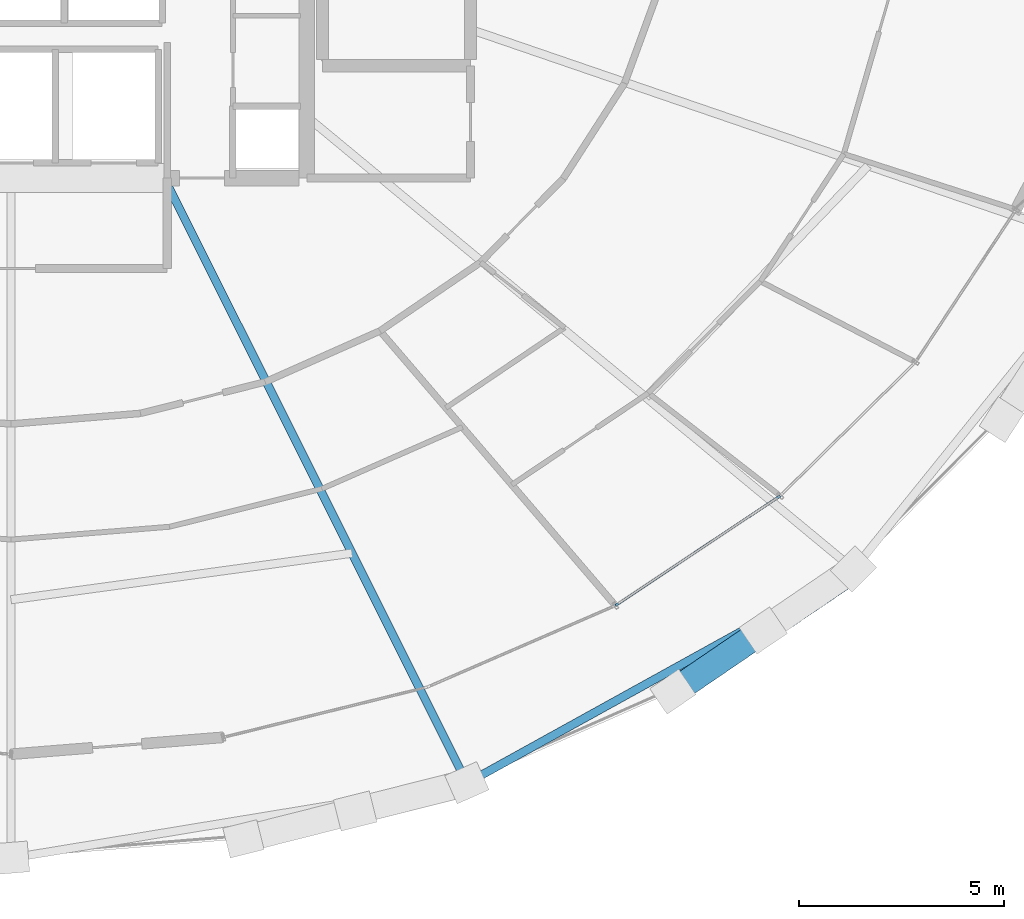
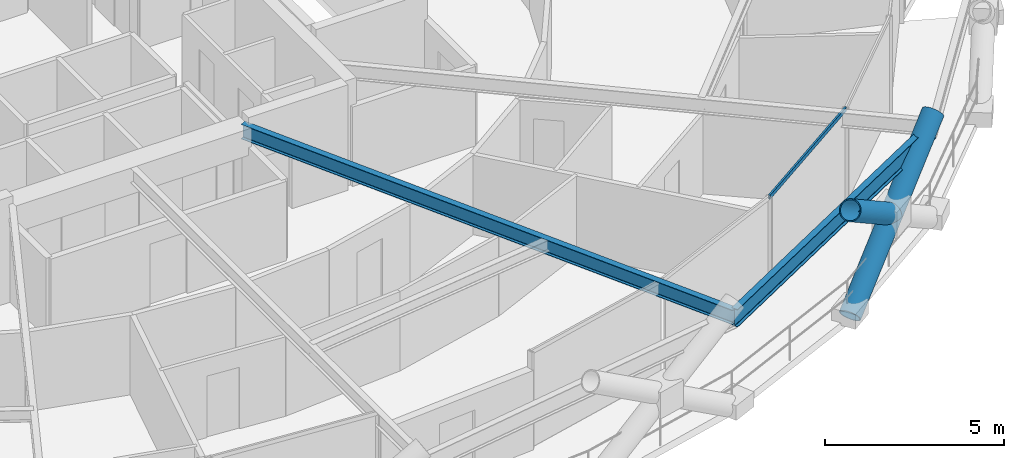
# One storey, part 7 of 19: 3 members, 2 beams, 1 element without a shape of its own.
"""IFC4 building model written with IfcOpenShell, lengths in metres."""

from ifc_helpers import new_model, si_unit, direction, frame, origin, origin_2d, place, context, subcontext, project, spatial, hollow_rectangle, hollow_circle, i_section, extrude, material, layer, layer_set, material_profile, profile_set, type_object, element, aggregate, save


model = new_model("IFC4")

# Units and contexts
model_context = context("Model", 3, precision=1e-05, world=origin(), true_north=direction((0.0, 1.0)))
body_context = subcontext(model_context, "Body", "Model", "MODEL_VIEW")
ifc_project = project(units=[si_unit("LENGTHUNIT", "METRE"), si_unit("AREAUNIT", "SQUARE_METRE"), si_unit("VOLUMEUNIT", "CUBIC_METRE"), si_unit("PLANEANGLEUNIT", "RADIAN"), si_unit("MASSUNIT", "GRAM", prefix="KILO")], contexts=[model_context])

# Site, building, storey
site_placement = place(None, origin())
site = spatial("IfcSite", under=ifc_project, at=site_placement, CompositionType="ELEMENT")
building_placement = place(site_placement, origin())
building = spatial("IfcBuilding", under=site, at=building_placement, Name="Veldorina Hangang Commons", CompositionType="ELEMENT")
storey_placement = place(building_placement, frame((0.0, 0.0, 77.199951171875)))
storey = spatial("IfcBuildingStorey", under=building, at=storey_placement, Name="L19", CompositionType="ELEMENT", Elevation=77.199951171875)

# Beams
ifc_material_1 = material(Name="Steel SM420-TMC", Category="steel")
ifc_material_profile_1 = material_profile(ifc_material_1, i_section(OverallWidth=0.199951171875, OverallDepth=0.5, WebThickness=0.010009765625, FlangeThickness=0.01611328125, FilletRadius=0.01611328125, at=origin_2d()), Name="H-500x200x10x16")
ifc_profile_set_1 = profile_set([ifc_material_profile_1], Name="Steel SM420-TMC")
beam_type_1 = type_object("IfcBeamType", Name="BM-FG500", PredefinedType="BEAM", material=ifc_profile_set_1)
beam_1_placement = place(storey_placement, frame((35.728759765625, 16.550048828125, 3.090087890625), z_axis=(0.447581339317, -0.894243224573, 0.0), x_axis=(0.894243224573, 0.447581339317, 0.0)))
element("IfcBeam", 1, at=beam_1_placement, inside=storey, type_object=beam_type_1, Name="L19 radial floor girder 14", PredefinedType="BEAM", context=body_context, shape_type="SweptSolid", body=[
    extrude(i_section(OverallWidth=0.199951171875, OverallDepth=0.5, WebThickness=0.010009765625, FlangeThickness=0.01611328125, FilletRadius=0.01611328125, at=origin_2d()), origin(), (0.0, 0.0, 1.0), 16.462646484375),
])
ifc_material_profile_2 = material_profile(ifc_material_1, i_section(OverallWidth=0.199951171875, OverallDepth=0.60009765625, WebThickness=0.010986328125, FlangeThickness=0.01708984375, FilletRadius=0.01806640625, at=origin_2d()), Name="H-600x200x11x17")
ifc_profile_set_2 = profile_set([ifc_material_profile_2], Name="Steel SM420-TMC")
beam_type_2 = type_object("IfcBeamType", Name="BM-RB600", PredefinedType="BEAM", material=ifc_profile_set_2)
beam_2_placement = place(storey_placement, frame((43.09716796875, 1.828369140625, 3.0400390625), z_axis=(0.875122851808, 0.483900810336, 0.0), x_axis=(-0.483900810336, 0.875122851808, 0.0)))
element("IfcBeam", 2, at=beam_2_placement, inside=storey, type_object=beam_type_2, Name="L19 perimeter hoop ring beam 26", PredefinedType="BEAM", context=body_context, shape_type="SweptSolid", body=[
    extrude(i_section(OverallWidth=0.199951171875, OverallDepth=0.60009765625, WebThickness=0.010986328125, FlangeThickness=0.01708984375, FilletRadius=0.01806640625, at=origin_2d()), origin(), (0.0, 0.0, 1.0), 10.75048828125),
])

# Curtain wall, member
ifc_material_2 = material(Name="Glass Low-E Triple IGU", Category="glass")
ifc_layer = layer(ifc_material_2, 0.179931640625)
ifc_layer_set = layer_set([ifc_layer], Name="Glass Low-E Triple IGU")
curtain_wall_type = type_object("IfcCurtainWallType", Name="CW-SYS-Z1", PredefinedType="NOTDEFINED", material=ifc_layer_set)
curtain_wall_placement = place(storey_placement, origin())
curtain_wall = element("IfcCurtainWall", 3, at=curtain_wall_placement, inside=storey, type_object=curtain_wall_type, Name="L19 unitised curtain wall CW-L19-R2", PredefinedType="NOTDEFINED")
ifc_material_3 = material(Name="Aluminium Anodized AA6063-T6", Category="aluminium")
ifc_material_profile_3 = material_profile(ifc_material_3, hollow_rectangle(XDim=0.06005859375, YDim=0.139892578125, WallThickness=0.00341796875, at=origin_2d()), Name="ALU-RHS-140x60x3.5")
ifc_profile_set_3 = profile_set([ifc_material_profile_3], Name="Aluminium Anodized AA6063-T6")
member_type_1 = type_object("IfcMemberType", Name="CW-TRN-140", PredefinedType="USERDEFINED", material=ifc_profile_set_3)
member_1_placement = place(storey_placement, frame((46.706298828125, 6.147705078125, 3.260009765625), z_axis=(0.832408665384, 0.554162263054, 0.0), x_axis=(-0.554162263054, 0.832408665384, 0.0)))
member_1 = element("IfcMember", 4, at=member_1_placement, type_object=member_type_1, Name="CW-L19-R2 facet 3 transom 1", ObjectType="TRANSOM", PredefinedType="USERDEFINED", context=body_context, shape_type="SweptSolid", body=[
    extrude(hollow_rectangle(XDim=0.06005859375, YDim=0.139892578125, WallThickness=0.00341796875, at=origin_2d()), origin(), (0.0, 0.0, 1.0), 4.81884765625),
])
aggregate(curtain_wall, [member_1])

# Members
ifc_material_4 = material(Name="Steel SM460-TMC", Category="steel")
ifc_material_profile_4 = material_profile(ifc_material_4, hollow_circle(Radius=0.324951171875, WallThickness=0.031982421875, at=origin_2d()), Name="CHS-650x32")
ifc_profile_set_4 = profile_set([ifc_material_profile_4], Name="Steel SM460-TMC")
member_type_2 = type_object("IfcMemberType", Name="DG-CHS650", PredefinedType="BRACE", material=ifc_profile_set_4)
member_2_placement = place(storey_placement, frame((48.106201171875, 4.052490234375, 0.0), z_axis=(0.685635703839, 0.463875049213, 0.561002335413), x_axis=(-0.560361297353, 0.828248281875, 0.0)))
element("IfcMember", 5, at=member_2_placement, inside=storey, type_object=member_type_2, Name="L19 continuous perimeter diagrid brace 27", PredefinedType="BRACE", context=body_context, shape_type="SweptSolid", body=[
    extrude(hollow_circle(Radius=0.324951171875, WallThickness=0.031982421875, at=origin_2d()), origin(), (0.0, 0.0, 1.0), 6.417236328125),
])
member_3_placement = place(storey_placement, frame((50.305908203125, 5.540771484375, 1.7998046875), z_axis=(-0.683913693134, -0.466290955888, 0.561101421136), x_axis=(0.563325414814, -0.82623512212, 0.0)))
element("IfcMember", 6, at=member_3_placement, inside=storey, type_object=member_type_2, Name="L19 split perimeter diagrid upper brace 28", PredefinedType="BRACE", context=body_context, shape_type="SweptSolid", body=[
    extrude(hollow_circle(Radius=0.324951171875, WallThickness=0.031982421875, at=origin_2d()), origin(), (0.0, 0.0, 1.0), 3.20849609375),
])

save(model, "model.ifc")
